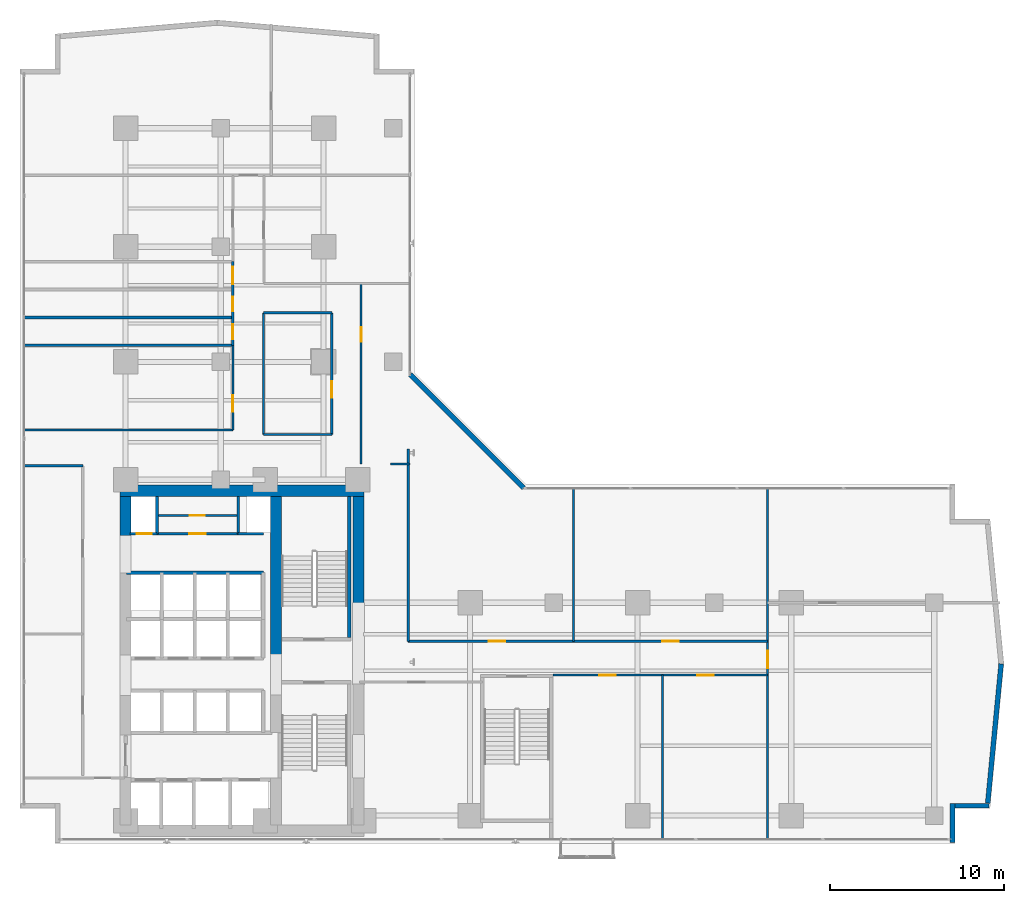
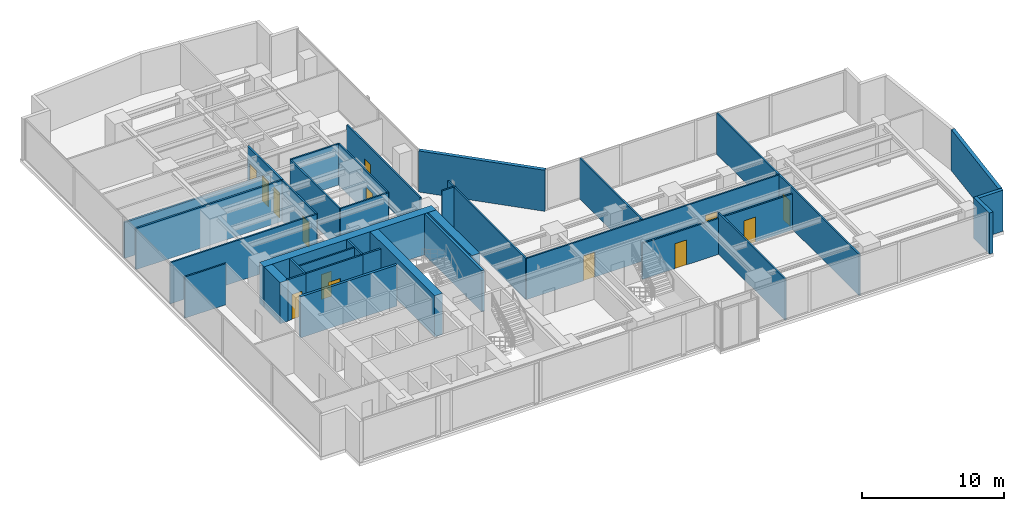
# One storey, part 22 of 28: 34 walls, 14 doors, 14 openings.
"""IFC4 building model written with IfcOpenShell, lengths in metres."""

from ifc_helpers import new_model, si_unit, direction, frame, frame_2d, origin, place, context, subcontext, project, spatial, rectangle, extrude, material, layer, layer_set, type_object, element, fill, save


model = new_model("IFC4")

# Units and contexts
model_context = context("Model", 3, precision=1e-05, world=origin(), true_north=direction((0.0, 1.0)))
body_context = subcontext(model_context, "Body", "Model", "MODEL_VIEW")
ifc_project = project(units=[si_unit("LENGTHUNIT", "METRE"), si_unit("AREAUNIT", "SQUARE_METRE"), si_unit("VOLUMEUNIT", "CUBIC_METRE"), si_unit("PLANEANGLEUNIT", "RADIAN"), si_unit("MASSUNIT", "GRAM", prefix="KILO")], contexts=[model_context])

# Site, building, storey
site_placement = place(None, origin())
site = spatial("IfcSite", under=ifc_project, at=site_placement, CompositionType="ELEMENT")
building_placement = place(site_placement, origin())
building = spatial("IfcBuilding", under=site, at=building_placement, Name="Kolvaren Waterfront Exchange", CompositionType="ELEMENT")
storey_placement = place(building_placement, frame((0.0, 0.0, 114.5)))
storey = spatial("IfcBuildingStorey", under=building, at=storey_placement, Name="L29", CompositionType="ELEMENT", Elevation=114.5)

# Walls
ifc_material_1 = material(Name="Precast concrete C40/50", Category="concrete")
ifc_layer_1 = layer(ifc_material_1, 0.280029296875, Name="Precast concrete C40/50")
ifc_layer_set_1 = layer_set([ifc_layer_1], Name="Precast concrete C40/50")
wall_type_1 = type_object("IfcWallType", Name="ARC-EXT-TERR-280", PredefinedType="SOLIDWALL", material=ifc_layer_set_1)
wall_1_placement = place(storey_placement, frame((54.840087890625, 3.659912109375, 0.0), z_axis=(0.0, 0.0, 1.0), x_axis=(0.0, 1.0, 0.0)))
element("IfcWall", 1, at=wall_1_placement, inside=storey, type_object=wall_type_1, Name="L29 notched corner spandrel pier SE-A", PredefinedType="SOLIDWALL", context=body_context, shape_type="SweptSolid", body=[
    extrude(rectangle(XDim=2.239990234375, YDim=0.280029296875, at=frame_2d((1.1201171875, 0.0))), origin(), (0.0, 0.0, 1.0), 3.5400390625),
])
wall_2_placement = place(storey_placement, frame((54.97998046875, 5.760009765625, 0.0), z_axis=(0.0, 0.0, 1.0), x_axis=(1.0, 0.0, 0.0)))
element("IfcWall", 2, at=wall_2_placement, inside=storey, type_object=wall_type_1, Name="L29 notched corner spandrel pier SE-B", PredefinedType="SOLIDWALL", context=body_context, shape_type="SweptSolid", body=[
    extrude(rectangle(XDim=1.9599609375, YDim=0.280029296875, at=frame_2d((0.97998046875, 0.0))), origin(), (0.0, 0.0, 1.0), 3.5400390625),
])
wall_3_placement = place(storey_placement, frame((30.284912109375, 23.97509765625, 0.0), z_axis=(0.0, 0.0, 1.0), x_axis=(-0.707106781187, 0.707106781187, 0.0)))
element("IfcWall", 3, at=wall_3_placement, inside=storey, type_object=wall_type_1, Name="L29 notched corner spandrel pier ELBOW", PredefinedType="SOLIDWALL", context=body_context, shape_type="SweptSolid", body=[
    extrude(rectangle(XDim=9.20654296875, YDim=0.280029296875, at=frame_2d((4.603271484375, 0.0))), origin(), (0.0, 0.0, 1.0), 3.5400390625),
])
wall_4_placement = place(storey_placement, frame((56.869384765625, 5.9140625, 0.0), z_axis=(0.0, 0.0, 1.0), x_axis=(0.095969995245, 0.995384227328, 0.0)))
element("IfcWall", 4, at=wall_4_placement, inside=storey, type_object=wall_type_1, Name="L29 east prow faceted facade wall 1", PredefinedType="SOLIDWALL", context=body_context, shape_type="SweptSolid", body=[
    extrude(rectangle(XDim=8.0185546875, YDim=0.280029296875, at=frame_2d((4.00927734375, 0.0))), origin(), (0.0, 0.0, 1.0), 3.5400390625),
])

# Wall, opening, door
ifc_material_2 = material(Name="Acoustic gypsum steel stud", Category="steel")
ifc_layer_2 = layer(ifc_material_2, 0.125, Name="Acoustic gypsum steel stud")
ifc_layer_set_2 = layer_set([ifc_layer_2], Name="Acoustic gypsum steel stud")
wall_type_2 = type_object("IfcWallType", Name="ARC-PART-125", PredefinedType="PARTITIONING", material=ifc_layer_set_2)
wall_5_placement = place(storey_placement, frame((9.25, 21.35009765625, 0.0), z_axis=(0.0, 0.0, 1.0), x_axis=(1.0, 0.0, 0.0)))
wall_5 = element("IfcWall", 5, at=wall_5_placement, inside=storey, type_object=wall_type_2, Name="L29 interior wall PW-L29-SVC-EX-S", PredefinedType="PARTITIONING", context=body_context, shape_type="SweptSolid", body=[
    extrude(rectangle(XDim=4.64990234375, YDim=0.125, at=frame_2d((2.324951171875, 0.0))), origin(), (0.0, 0.0, 1.0), 3.5400390625),
])
opening_1_placement = place(wall_5_placement, frame((1.85009765625, 0.0, 0.0)))
opening_1 = element("IfcOpeningElement", 6, at=opening_1_placement, cuts=wall_5, Name="Opening D02", PredefinedType="OPENING", context=body_context, shape_type="SweptSolid", body=[
    extrude(rectangle(XDim=0.949951171875, YDim=2.14990234375, at=frame_2d((0.47509765625, 1.074951171875))), frame((0.0, 0.072509765625, 0.0), z_axis=(0.0, -1.0, 0.0), x_axis=(1.0, 0.0, 0.0)), (0.0, 0.0, 1.0), 0.14501953125),
])
ifc_material_3 = material(Name="Oak veneer acoustic timber", Category="wood")
door_type_1 = type_object("IfcDoorType", Name="ARC-DR-950", OperationType="NOTDEFINED", PredefinedType="DOOR", material=ifc_material_3)
door_1_placement = place(opening_1_placement, origin())
door_1 = element("IfcDoor", 7, at=door_1_placement, inside=storey, type_object=door_type_1, Name="L29 door DR-L29-SVC-DR-1 (D02)", OperationType="SINGLE_SWING_LEFT", OverallHeight=2.14990234375, OverallWidth=0.949951171875, PredefinedType="DOOR", context=body_context, shape_type="SweptSolid", body=[
    extrude(rectangle(XDim=0.949951171875, YDim=2.14990234375, at=frame_2d((0.47509765625, 1.074951171875))), frame((0.0, 0.02490234375, 0.0), z_axis=(0.0, -1.0, 0.0), x_axis=(1.0, 0.0, 0.0)), (0.0, 0.0, 1.0), 0.050048828125),
])
fill(opening_1, door_1)

wall_6_placement = place(storey_placement, frame((9.25, 22.39990234375, 0.0), z_axis=(0.0, 0.0, 1.0), x_axis=(1.0, 0.0, 0.0)))
wall_6 = element("IfcWall", 8, at=wall_6_placement, inside=storey, type_object=wall_type_2, Name="L29 interior wall PW-L29-SVC-EX-HS", PredefinedType="PARTITIONING", context=body_context, shape_type="SweptSolid", body=[
    extrude(rectangle(XDim=4.64990234375, YDim=0.125, at=frame_2d((2.324951171875, 0.0))), origin(), (0.0, 0.0, 1.0), 3.5400390625),
])
opening_2_placement = place(wall_6_placement, frame((1.875, 0.0, 0.0)))
opening_2 = element("IfcOpeningElement", 9, at=opening_2_placement, cuts=wall_6, Name="Opening D01", PredefinedType="OPENING", context=body_context, shape_type="SweptSolid", body=[
    extrude(rectangle(XDim=0.85009765625, YDim=2.14990234375, at=frame_2d((0.425048828125, 1.074951171875))), frame((0.0, 0.072509765625, 0.0), z_axis=(0.0, -1.0, 0.0), x_axis=(1.0, 0.0, 0.0)), (0.0, 0.0, 1.0), 0.14501953125),
])
ifc_material_4 = material(Name="Oak veneer timber leaf", Category="wood")
door_type_2 = type_object("IfcDoorType", Name="ARC-DR-900", OperationType="NOTDEFINED", PredefinedType="DOOR", material=ifc_material_4)
door_2_placement = place(opening_2_placement, origin())
door_2 = element("IfcDoor", 10, at=door_2_placement, inside=storey, type_object=door_type_2, Name="L29 door DR-L29-SVC-DR-2 (D01)", OperationType="SINGLE_SWING_RIGHT", OverallHeight=2.14990234375, OverallWidth=0.85009765625, PredefinedType="DOOR", context=body_context, shape_type="SweptSolid", body=[
    extrude(rectangle(XDim=0.85009765625, YDim=2.14990234375, at=frame_2d((0.425048828125, 1.074951171875))), frame((0.0, 0.02490234375, 0.0), z_axis=(0.0, -1.0, 0.0), x_axis=(1.0, 0.0, 0.0)), (0.0, 0.0, 1.0), 0.050048828125),
])
fill(opening_2, door_2)

# Walls
for number, where, z_axis, x_axis, name in (
    (11, (15.35009765625, 27.050048828125, 0.0), (0.0, 0.0, 1.0), (1.0, 0.0, 0.0), "L29 interior wall PW-L29-ISL-S"),
    (12, (15.35009765625, 34.02001953125, 0.0), (0.0, 0.0, 1.0), (1.0, 0.0, 0.0), "L29 interior wall PW-L29-ISL-N"),
):
    element("IfcWall", number, at=place(storey_placement, frame(where, z_axis=z_axis, x_axis=x_axis)), inside=storey, type_object=wall_type_2, Name=name, PredefinedType="PARTITIONING", context=body_context, shape_type="SweptSolid", body=[
        extrude(rectangle(XDim=3.919921875, YDim=0.125, at=frame_2d((1.9599609375, 0.0))), origin(), (0.0, 0.0, 1.0), 3.5400390625),
    ])
wall_7_placement = place(storey_placement, frame((15.35009765625, 27.050048828125, 0.0), z_axis=(0.0, 0.0, 1.0), x_axis=(0.0, 1.0, 0.0)))
element("IfcWall", 13, at=wall_7_placement, inside=storey, type_object=wall_type_2, Name="L29 interior wall PW-L29-ISL-W", PredefinedType="PARTITIONING", context=body_context, shape_type="SweptSolid", body=[
    extrude(rectangle(XDim=6.969970703125, YDim=0.125, at=frame_2d((3.48486328125, 0.0))), origin(), (0.0, 0.0, 1.0), 3.5400390625),
])

# Wall, opening, door
wall_8_placement = place(storey_placement, frame((19.27001953125, 27.050048828125, 0.0), z_axis=(0.0, 0.0, 1.0), x_axis=(0.0, 1.0, 0.0)))
wall_8 = element("IfcWall", 14, at=wall_8_placement, inside=storey, type_object=wall_type_2, Name="L29 interior wall PW-L29-ISL-E", PredefinedType="PARTITIONING", context=body_context, shape_type="SweptSolid", body=[
    extrude(rectangle(XDim=6.969970703125, YDim=0.125, at=frame_2d((3.48486328125, 0.0))), origin(), (0.0, 0.0, 1.0), 3.5400390625),
])
opening_3_placement = place(wall_8_placement, frame((2.09619140625, 0.0, 0.0)))
opening_3 = element("IfcOpeningElement", 15, at=opening_3_placement, cuts=wall_8, Name="Opening D02", PredefinedType="OPENING", context=body_context, shape_type="SweptSolid", body=[
    extrude(rectangle(XDim=0.949951171875, YDim=2.14990234375, at=frame_2d((0.47509765625, 1.074951171875))), frame((0.0, 0.072509765625, 0.0), z_axis=(0.0, -1.0, 0.0), x_axis=(1.0, 0.0, 0.0)), (0.0, 0.0, 1.0), 0.14501953125),
])
door_3_placement = place(opening_3_placement, origin())
door_3 = element("IfcDoor", 16, at=door_3_placement, inside=storey, type_object=door_type_1, Name="L29 door DR-L29-ISL-D (D02)", OperationType="SINGLE_SWING_LEFT", OverallHeight=2.14990234375, OverallWidth=0.949951171875, PredefinedType="DOOR", context=body_context, shape_type="SweptSolid", body=[
    extrude(rectangle(XDim=0.949951171875, YDim=2.14990234375, at=frame_2d((0.47509765625, 1.074951171875))), frame((0.0, 0.02490234375, 0.0), z_axis=(0.0, -1.0, 0.0), x_axis=(1.0, 0.0, 0.0)), (0.0, 0.0, 1.0), 0.050048828125),
])
fill(opening_3, door_3)

wall_9_placement = place(storey_placement, frame((13.60009765625, 27.300048828125, 0.0), z_axis=(0.0, 0.0, 1.0), x_axis=(0.0, 1.0, 0.0)))
wall_9 = element("IfcWall", 17, at=wall_9_placement, inside=storey, type_object=wall_type_2, Name="L29 interior wall PW-L29-PREWC-E", PredefinedType="PARTITIONING", context=body_context, shape_type="SweptSolid", body=[
    extrude(rectangle(XDim=4.849853515625, YDim=0.125, at=frame_2d((2.4248046875, 0.0))), origin(), (0.0, 0.0, 1.0), 3.5400390625),
])
opening_4_placement = place(wall_9_placement, frame((1.050048828125, 0.0, 0.0)))
opening_4 = element("IfcOpeningElement", 18, at=opening_4_placement, cuts=wall_9, Name="Opening D02", PredefinedType="OPENING", context=body_context, shape_type="SweptSolid", body=[
    extrude(rectangle(XDim=0.949951171875, YDim=2.14990234375, at=frame_2d((0.47509765625, 1.074951171875))), frame((0.0, 0.072509765625, 0.0), z_axis=(0.0, -1.0, 0.0), x_axis=(1.0, 0.0, 0.0)), (0.0, 0.0, 1.0), 0.14501953125),
])
door_4_placement = place(opening_4_placement, origin())
door_4 = element("IfcDoor", 19, at=door_4_placement, inside=storey, type_object=door_type_1, Name="L29 door DR-L29-PREWC-D (D02)", OperationType="SINGLE_SWING_RIGHT", OverallHeight=2.14990234375, OverallWidth=0.949951171875, PredefinedType="DOOR", context=body_context, shape_type="SweptSolid", body=[
    extrude(rectangle(XDim=0.949951171875, YDim=2.14990234375, at=frame_2d((0.47509765625, 1.074951171875))), frame((0.0, 0.02490234375, 0.0), z_axis=(0.0, -1.0, 0.0), x_axis=(1.0, 0.0, 0.0)), (0.0, 0.0, 1.0), 0.050048828125),
])
fill(opening_4, door_4)

# Walls
wall_10_placement = place(storey_placement, frame((1.639892578125, 27.300048828125, 0.0), z_axis=(0.0, 0.0, 1.0), x_axis=(1.0, 0.0, 0.0)))
element("IfcWall", 20, at=wall_10_placement, inside=storey, type_object=wall_type_2, Name="L29 interior wall PW-L29-PREWC-S", PredefinedType="PARTITIONING", context=body_context, shape_type="SweptSolid", body=[
    extrude(rectangle(XDim=11.960205078125, YDim=0.125, at=frame_2d((5.97998046875, 0.0))), origin(), (0.0, 0.0, 1.0), 3.5400390625),
])
wall_11_placement = place(storey_placement, frame((1.639892578125, 25.25, 0.0), z_axis=(0.0, 0.0, 1.0), x_axis=(1.0, 0.0, 0.0)))
element("IfcWall", 21, at=wall_11_placement, inside=storey, type_object=wall_type_2, Name="L29 interior wall PW-L29-WFLANK-N", PredefinedType="PARTITIONING", context=body_context, shape_type="SweptSolid", body=[
    extrude(rectangle(XDim=3.360107421875, YDim=0.125, at=frame_2d((1.68017578125, 0.0))), origin(), (0.0, 0.0, 1.0), 3.5400390625),
])

# Wall, opening, door
wall_12_placement = place(storey_placement, frame((20.949951171875, 25.35009765625, 0.0), z_axis=(0.0, 0.0, 1.0), x_axis=(0.0, 1.0, 0.0)))
wall_12 = element("IfcWall", 22, at=wall_12_placement, inside=storey, type_object=wall_type_2, Name="L29 interior wall PW-L29-RFLANK-W", PredefinedType="PARTITIONING", context=body_context, shape_type="SweptSolid", body=[
    extrude(rectangle(XDim=10.349853515625, YDim=0.125, at=frame_2d((5.1748046875, 0.0))), origin(), (0.0, 0.0, 1.0), 3.5400390625),
])
opening_5_placement = place(wall_12_placement, frame((7.002197265625, 0.0, 0.0)))
opening_5 = element("IfcOpeningElement", 23, at=opening_5_placement, cuts=wall_12, Name="Opening D01", PredefinedType="OPENING", context=body_context, shape_type="SweptSolid", body=[
    extrude(rectangle(XDim=0.85009765625, YDim=2.14990234375, at=frame_2d((0.425048828125, 1.074951171875))), frame((0.0, 0.072509765625, 0.0), z_axis=(0.0, -1.0, 0.0), x_axis=(1.0, 0.0, 0.0)), (0.0, 0.0, 1.0), 0.14501953125),
])
door_5_placement = place(opening_5_placement, origin())
door_5 = element("IfcDoor", 24, at=door_5_placement, inside=storey, type_object=door_type_2, Name="L29 door DR-L29-RFLANK-D (D01)", OperationType="SINGLE_SWING_RIGHT", OverallHeight=2.14990234375, OverallWidth=0.85009765625, PredefinedType="DOOR", context=body_context, shape_type="SweptSolid", body=[
    extrude(rectangle(XDim=0.85009765625, YDim=2.14990234375, at=frame_2d((0.425048828125, 1.074951171875))), frame((0.0, 0.02490234375, 0.0), z_axis=(0.0, -1.0, 0.0), x_axis=(1.0, 0.0, 0.0)), (0.0, 0.0, 1.0), 0.050048828125),
])
fill(opening_5, door_5)

# Wall
wall_13_placement = place(storey_placement, frame((22.64990234375, 25.35009765625, 0.0), z_axis=(0.0, 0.0, 1.0), x_axis=(1.0, 0.0, 0.0)))
element("IfcWall", 25, at=wall_13_placement, inside=storey, type_object=wall_type_2, Name="L29 interior wall PW-L29-RFLANK-S", PredefinedType="PARTITIONING", context=body_context, shape_type="SweptSolid", body=[
    extrude(rectangle(XDim=1.110107421875, YDim=0.125, at=frame_2d((0.55517578125, 0.0))), origin(), (0.0, 0.0, 1.0), 3.5400390625),
])

# Wall, openings, doors
wall_14_placement = place(storey_placement, frame((31.949951171875, 13.25, 0.0), z_axis=(0.0, 0.0, 1.0), x_axis=(1.0, 0.0, 0.0)))
wall_14 = element("IfcWall", 26, at=wall_14_placement, inside=storey, type_object=wall_type_2, Name="L29 interior wall PW-L29-ES-CORR", PredefinedType="PARTITIONING", context=body_context, shape_type="SweptSolid", body=[
    extrude(rectangle(XDim=12.300048828125, YDim=0.125, at=frame_2d((6.14990234375, 0.0))), origin(), (0.0, 0.0, 1.0), 3.090087890625),
])
opening_6_placement = place(wall_14_placement, frame((2.659912109375, 0.0, 0.0)))
opening_6 = element("IfcOpeningElement", 27, at=opening_6_placement, cuts=wall_14, Name="Opening D02", PredefinedType="OPENING", context=body_context, shape_type="SweptSolid", body=[
    extrude(rectangle(XDim=0.949951171875, YDim=2.14990234375, at=frame_2d((0.47509765625, 1.074951171875))), frame((0.0, 0.072509765625, 0.0), z_axis=(0.0, -1.0, 0.0), x_axis=(1.0, 0.0, 0.0)), (0.0, 0.0, 1.0), 0.14501953125),
])
opening_7_placement = place(wall_14_placement, frame((8.2626953125, 0.0, 0.0)))
opening_7 = element("IfcOpeningElement", 28, at=opening_7_placement, cuts=wall_14, Name="Opening D02", PredefinedType="OPENING", context=body_context, shape_type="SweptSolid", body=[
    extrude(rectangle(XDim=0.949951171875, YDim=2.14990234375, at=frame_2d((0.47509765625, 1.074951171875))), frame((0.0, 0.072509765625, 0.0), z_axis=(0.0, -1.0, 0.0), x_axis=(1.0, 0.0, 0.0)), (0.0, 0.0, 1.0), 0.14501953125),
])
door_6_placement = place(opening_6_placement, origin())
door_6 = element("IfcDoor", 29, at=door_6_placement, inside=storey, type_object=door_type_1, Name="L29 door DR-L29-ES-D-1 (D02)", OperationType="SINGLE_SWING_LEFT", OverallHeight=2.14990234375, OverallWidth=0.949951171875, PredefinedType="DOOR", context=body_context, shape_type="SweptSolid", body=[
    extrude(rectangle(XDim=0.949951171875, YDim=2.14990234375, at=frame_2d((0.47509765625, 1.074951171875))), frame((0.0, 0.02490234375, 0.0), z_axis=(0.0, -1.0, 0.0), x_axis=(1.0, 0.0, 0.0)), (0.0, 0.0, 1.0), 0.050048828125),
])
fill(opening_6, door_6)
door_7_placement = place(opening_7_placement, origin())
door_7 = element("IfcDoor", 30, at=door_7_placement, inside=storey, type_object=door_type_1, Name="L29 door DR-L29-ES-D-2 (D02)", OperationType="SINGLE_SWING_RIGHT", OverallHeight=2.14990234375, OverallWidth=0.949951171875, PredefinedType="DOOR", context=body_context, shape_type="SweptSolid", body=[
    extrude(rectangle(XDim=0.949951171875, YDim=2.14990234375, at=frame_2d((0.47509765625, 1.074951171875))), frame((0.0, 0.02490234375, 0.0), z_axis=(0.0, -1.0, 0.0), x_axis=(1.0, 0.0, 0.0)), (0.0, 0.0, 1.0), 0.050048828125),
])
fill(opening_7, door_7)

# Wall
wall_15_placement = place(storey_placement, frame((38.219970703125, 3.840087890625, 0.0), z_axis=(0.0, 0.0, 1.0), x_axis=(0.0, 1.0, 0.0)))
element("IfcWall", 31, at=wall_15_placement, inside=storey, type_object=wall_type_2, Name="L29 interior wall PW-L29-ES-DIV-1", PredefinedType="PARTITIONING", context=body_context, shape_type="SweptSolid", body=[
    extrude(rectangle(XDim=9.409912109375, YDim=0.125, at=frame_2d((4.705078125, 0.0))), origin(), (0.0, 0.0, 1.0), 3.5400390625),
])

# Wall, opening, door
wall_16_placement = place(storey_placement, frame((44.25, 3.840087890625, 0.0), z_axis=(0.0, 0.0, 1.0), x_axis=(0.0, 1.0, 0.0)))
wall_16 = element("IfcWall", 32, at=wall_16_placement, inside=storey, type_object=wall_type_2, Name="L29 interior wall PW-L29-ETIP-W", PredefinedType="PARTITIONING", context=body_context, shape_type="SweptSolid", body=[
    extrude(rectangle(XDim=20.119873046875, YDim=0.125, at=frame_2d((10.06005859375, 0.0))), origin(), (0.0, 0.0, 1.0), 3.5400390625),
])
opening_8_placement = place(wall_16_placement, frame((9.81005859375, 0.0, 0.0)))
opening_8 = element("IfcOpeningElement", 33, at=opening_8_placement, cuts=wall_16, Name="Opening D03", PredefinedType="OPENING", context=body_context, shape_type="SweptSolid", body=[
    extrude(rectangle(XDim=1.0, YDim=2.199951171875, at=frame_2d((0.5, 1.10009765625))), frame((0.0, 0.072509765625, 0.0), z_axis=(0.0, -1.0, 0.0), x_axis=(1.0, 0.0, 0.0)), (0.0, 0.0, 1.0), 0.14501953125),
])
ifc_material_5 = material(Name="Oak veneer accessible timber", Category="wood")
door_type_3 = type_object("IfcDoorType", Name="ARC-DR-1000", OperationType="NOTDEFINED", PredefinedType="DOOR", material=ifc_material_5)
door_8_placement = place(opening_8_placement, origin())
door_8 = element("IfcDoor", 34, at=door_8_placement, inside=storey, type_object=door_type_3, Name="L29 door DR-L29-ETIP1-D (D03)", OperationType="SINGLE_SWING_LEFT", OverallHeight=2.199951171875, OverallWidth=1.0, PredefinedType="DOOR", context=body_context, shape_type="SweptSolid", body=[
    extrude(rectangle(XDim=1.0, YDim=2.199951171875, at=frame_2d((0.5, 1.10009765625))), frame((0.0, 0.02490234375, 0.0), z_axis=(0.0, -1.0, 0.0), x_axis=(1.0, 0.0, 0.0)), (0.0, 0.0, 1.0), 0.050048828125),
])
fill(opening_8, door_8)

# Wall
wall_17_placement = place(storey_placement, frame((23.64990234375, 15.18994140625, 0.0), z_axis=(0.0, 0.0, 1.0), x_axis=(0.0, 1.0, 0.0)))
element("IfcWall", 35, at=wall_17_placement, inside=storey, type_object=wall_type_2, Name="L29 interior wall PW-L29-EN-W0", PredefinedType="PARTITIONING", context=body_context, shape_type="SweptSolid", body=[
    extrude(rectangle(XDim=11.010009765625, YDim=0.125, at=frame_2d((5.5048828125, 0.0))), origin(), (0.0, 0.0, 1.0), 3.5400390625),
])

# Wall, openings, doors
wall_18_placement = place(storey_placement, frame((23.64990234375, 15.18994140625, 0.0), z_axis=(0.0, 0.0, 1.0), x_axis=(1.0, 0.0, 0.0)))
wall_18 = element("IfcWall", 36, at=wall_18_placement, inside=storey, type_object=wall_type_2, Name="L29 interior wall PW-L29-EN-CORR", PredefinedType="PARTITIONING", context=body_context, shape_type="SweptSolid", body=[
    extrude(rectangle(XDim=20.60009765625, YDim=0.125, at=frame_2d((10.300048828125, 0.0))), origin(), (0.0, 0.0, 1.0), 3.5400390625),
])
opening_9_placement = place(wall_18_placement, frame((4.616455078125, 0.0, 0.0)))
opening_9 = element("IfcOpeningElement", 37, at=opening_9_placement, cuts=wall_18, Name="Opening D02", PredefinedType="OPENING", context=body_context, shape_type="SweptSolid", body=[
    extrude(rectangle(XDim=0.949951171875, YDim=2.14990234375, at=frame_2d((0.47509765625, 1.074951171875))), frame((0.0, 0.072509765625, 0.0), z_axis=(0.0, -1.0, 0.0), x_axis=(1.0, 0.0, 0.0)), (0.0, 0.0, 1.0), 0.14501953125),
])
opening_10_placement = place(wall_18_placement, frame((14.56494140625, 0.0, 0.0)))
opening_10 = element("IfcOpeningElement", 38, at=opening_10_placement, cuts=wall_18, Name="Opening D02", PredefinedType="OPENING", context=body_context, shape_type="SweptSolid", body=[
    extrude(rectangle(XDim=0.949951171875, YDim=2.14990234375, at=frame_2d((0.47509765625, 1.074951171875))), frame((0.0, 0.072509765625, 0.0), z_axis=(0.0, -1.0, 0.0), x_axis=(1.0, 0.0, 0.0)), (0.0, 0.0, 1.0), 0.14501953125),
])
door_9_placement = place(opening_9_placement, origin())
door_9 = element("IfcDoor", 39, at=door_9_placement, inside=storey, type_object=door_type_1, Name="L29 door DR-L29-EN-D-1 (D02)", OperationType="SINGLE_SWING_LEFT", OverallHeight=2.14990234375, OverallWidth=0.949951171875, PredefinedType="DOOR", context=body_context, shape_type="SweptSolid", body=[
    extrude(rectangle(XDim=0.949951171875, YDim=2.14990234375, at=frame_2d((0.47509765625, 1.074951171875))), frame((0.0, 0.02490234375, 0.0), z_axis=(0.0, -1.0, 0.0), x_axis=(1.0, 0.0, 0.0)), (0.0, 0.0, 1.0), 0.050048828125),
])
fill(opening_9, door_9)
door_10_placement = place(opening_10_placement, origin())
door_10 = element("IfcDoor", 40, at=door_10_placement, inside=storey, type_object=door_type_1, Name="L29 door DR-L29-EN-D-2 (D02)", OperationType="SINGLE_SWING_RIGHT", OverallHeight=2.14990234375, OverallWidth=0.949951171875, PredefinedType="DOOR", context=body_context, shape_type="SweptSolid", body=[
    extrude(rectangle(XDim=0.949951171875, YDim=2.14990234375, at=frame_2d((0.47509765625, 1.074951171875))), frame((0.0, 0.02490234375, 0.0), z_axis=(0.0, -1.0, 0.0), x_axis=(1.0, 0.0, 0.0)), (0.0, 0.0, 1.0), 0.050048828125),
])
fill(opening_10, door_10)

# Walls
wall_19_placement = place(storey_placement, frame((33.1298828125, 15.18994140625, 0.0), z_axis=(0.0, 0.0, 1.0), x_axis=(0.0, 1.0, 0.0)))
element("IfcWall", 41, at=wall_19_placement, inside=storey, type_object=wall_type_2, Name="L29 interior wall PW-L29-EN-DIV-1", PredefinedType="PARTITIONING", context=body_context, shape_type="SweptSolid", body=[
    extrude(rectangle(XDim=8.77001953125, YDim=0.125, at=frame_2d((4.385009765625, 0.0))), origin(), (0.0, 0.0, 1.0), 3.5400390625),
])
ifc_material_6 = material(Name="Gypsum fireboard steel stud", Category="steel")
ifc_layer_3 = layer(ifc_material_6, 0.14990234375, Name="Gypsum fireboard steel stud")
ifc_layer_set_3 = layer_set([ifc_layer_3], Name="Gypsum fireboard steel stud")
wall_type_3 = type_object("IfcWallType", Name="ARC-PART-150", PredefinedType="PARTITIONING", material=ifc_layer_set_3)
for number, where, z_axis, x_axis, name in (
    (42, (9.25, 21.35009765625, 0.0), (0.0, 0.0, 1.0), (0.0, 1.0, 0.0), "L29 interior wall PW-L29-SVC-R1"),
    (43, (13.89990234375, 21.35009765625, 0.0), (0.0, 0.0, 1.0), (0.0, 1.0, 0.0), "L29 interior wall PW-L29-SVC-R2"),
):
    element("IfcWall", number, at=place(storey_placement, frame(where, z_axis=z_axis, x_axis=x_axis)), inside=storey, type_object=wall_type_3, Name=name, PredefinedType="PARTITIONING", context=body_context, shape_type="SweptSolid", body=[
        extrude(rectangle(XDim=2.1298828125, YDim=0.14990234375, at=frame_2d((1.06494140625, 0.0))), origin(), (0.0, 0.0, 1.0), 3.5400390625),
    ])

# Wall, opening, door
wall_20_placement = place(storey_placement, frame((7.699951171875, 21.35009765625, 0.0), z_axis=(0.0, 0.0, 1.0), x_axis=(1.0, 0.0, 0.0)))
wall_20 = element("IfcWall", 44, at=wall_20_placement, inside=storey, type_object=wall_type_3, Name="L29 interior wall PW-L29-SVC-RE-S", PredefinedType="PARTITIONING", context=body_context, shape_type="SweptSolid", body=[
    extrude(rectangle(XDim=1.550048828125, YDim=0.14990234375, at=frame_2d((0.77490234375, 0.0))), origin(), (0.0, 0.0, 1.0), 3.5400390625),
])
opening_11_placement = place(wall_20_placement, frame((0.389892578125, 0.0, 0.0)))
opening_11 = element("IfcOpeningElement", 45, at=opening_11_placement, cuts=wall_20, Name="Opening FD1", PredefinedType="OPENING", context=body_context, shape_type="SweptSolid", body=[
    extrude(rectangle(XDim=0.85009765625, YDim=2.14990234375, at=frame_2d((0.425048828125, 1.074951171875))), frame((0.0, 0.0849609375, 0.0), z_axis=(0.0, -1.0, 0.0), x_axis=(1.0, 0.0, 0.0)), (0.0, 0.0, 1.0), 0.169921875),
])
ifc_material_7 = material(Name="Pressed steel fire leaf", Category="steel")
door_type_4 = type_object("IfcDoorType", Name="ARC-FD-900", OperationType="NOTDEFINED", PredefinedType="DOOR", material=ifc_material_7)
door_11_placement = place(opening_11_placement, origin())
door_11 = element("IfcDoor", 46, at=door_11_placement, inside=storey, type_object=door_type_4, Name="L29 door DR-L29-RISER-E-DR (FD1)", OperationType="SINGLE_SWING_RIGHT", OverallHeight=2.14990234375, OverallWidth=0.85009765625, PredefinedType="DOOR", context=body_context, shape_type="SweptSolid", body=[
    extrude(rectangle(XDim=0.85009765625, YDim=2.14990234375, at=frame_2d((0.425048828125, 1.074951171875))), frame((0.0, 0.02490234375, 0.0), z_axis=(0.0, -1.0, 0.0), x_axis=(1.0, 0.0, 0.0)), (0.0, 0.0, 1.0), 0.050048828125),
])
fill(opening_11, door_11)

# Walls
wall_21_placement = place(storey_placement, frame((13.89990234375, 21.35009765625, 0.0), z_axis=(0.0, 0.0, 1.0), x_axis=(1.0, 0.0, 0.0)))
element("IfcWall", 47, at=wall_21_placement, inside=storey, type_object=wall_type_3, Name="L29 interior wall PW-L29-SVC-RP-S", PredefinedType="PARTITIONING", context=body_context, shape_type="SweptSolid", body=[
    extrude(rectangle(XDim=1.4501953125, YDim=0.14990234375, at=frame_2d((0.72509765625, 0.0))), origin(), (0.0, 0.0, 1.0), 3.5400390625),
])
ifc_material_8 = material(Name="Moisture-resistant gypsum stud")
ifc_layer_4 = layer(ifc_material_8, 0.14990234375, Name="Moisture-resistant gypsum stud")
ifc_layer_set_4 = layer_set([ifc_layer_4], Name="Moisture-resistant gypsum stud")
wall_type_4 = type_object("IfcWallType", Name="ARC-PLUMB-150", PredefinedType="PLUMBINGWALL", material=ifc_layer_set_4)
wall_22_placement = place(storey_placement, frame((1.639892578125, 32.14990234375, 0.0), z_axis=(0.0, 0.0, 1.0), x_axis=(1.0, 0.0, 0.0)))
element("IfcWall", 48, at=wall_22_placement, inside=storey, type_object=wall_type_4, Name="L29 interior wall PW-L29-WC-0", PredefinedType="PLUMBINGWALL", context=body_context, shape_type="SweptSolid", body=[
    extrude(rectangle(XDim=11.960205078125, YDim=0.14990234375, at=frame_2d((5.97998046875, 0.0))), origin(), (0.0, 0.0, 1.0), 3.5400390625),
])

# Wall, openings, doors
wall_23_placement = place(storey_placement, frame((13.60009765625, 32.14990234375, 0.0), z_axis=(0.0, 0.0, 1.0), x_axis=(0.0, 1.0, 0.0)))
wall_23 = element("IfcWall", 49, at=wall_23_placement, inside=storey, type_object=wall_type_4, Name="L29 interior wall PW-L29-WC-E", PredefinedType="PLUMBINGWALL", context=body_context, shape_type="SweptSolid", body=[
    extrude(rectangle(XDim=4.800048828125, YDim=0.14990234375, at=frame_2d((2.39990234375, 0.0))), origin(), (0.0, 0.0, 1.0), 3.5400390625),
])
opening_12_placement = place(wall_23_placement, frame((0.35009765625, 0.0, 0.0)))
opening_12 = element("IfcOpeningElement", 50, at=opening_12_placement, cuts=wall_23, Name="Opening D01", PredefinedType="OPENING", context=body_context, shape_type="SweptSolid", body=[
    extrude(rectangle(XDim=0.85009765625, YDim=2.14990234375, at=frame_2d((0.425048828125, 1.074951171875))), frame((0.0, 0.0849609375, 0.0), z_axis=(0.0, -1.0, 0.0), x_axis=(1.0, 0.0, 0.0)), (0.0, 0.0, 1.0), 0.169921875),
])
opening_13_placement = place(wall_23_placement, frame((1.949951171875, 0.0, 0.0)))
opening_13 = element("IfcOpeningElement", 51, at=opening_13_placement, cuts=wall_23, Name="Opening D01", PredefinedType="OPENING", context=body_context, shape_type="SweptSolid", body=[
    extrude(rectangle(XDim=0.85009765625, YDim=2.14990234375, at=frame_2d((0.425048828125, 1.074951171875))), frame((0.0, 0.0849609375, 0.0), z_axis=(0.0, -1.0, 0.0), x_axis=(1.0, 0.0, 0.0)), (0.0, 0.0, 1.0), 0.169921875),
])
opening_14_placement = place(wall_23_placement, frame((3.5, 0.0, 0.0)))
opening_14 = element("IfcOpeningElement", 52, at=opening_14_placement, cuts=wall_23, Name="Opening D03", PredefinedType="OPENING", context=body_context, shape_type="SweptSolid", body=[
    extrude(rectangle(XDim=1.0, YDim=2.199951171875, at=frame_2d((0.5, 1.10009765625))), frame((0.0, 0.0849609375, 0.0), z_axis=(0.0, -1.0, 0.0), x_axis=(1.0, 0.0, 0.0)), (0.0, 0.0, 1.0), 0.169921875),
])
door_12_placement = place(opening_14_placement, origin())
door_12 = element("IfcDoor", 53, at=door_12_placement, inside=storey, type_object=door_type_3, Name="L29 door DR-L29-WCA-D (D03)", OperationType="SINGLE_SWING_LEFT", OverallHeight=2.199951171875, OverallWidth=1.0, PredefinedType="DOOR", context=body_context, shape_type="SweptSolid", body=[
    extrude(rectangle(XDim=1.0, YDim=2.199951171875, at=frame_2d((0.5, 1.10009765625))), frame((0.0, 0.02490234375, 0.0), z_axis=(0.0, -1.0, 0.0), x_axis=(1.0, 0.0, 0.0)), (0.0, 0.0, 1.0), 0.050048828125),
])
fill(opening_14, door_12)
door_13_placement = place(opening_12_placement, origin())
door_13 = element("IfcDoor", 54, at=door_13_placement, inside=storey, type_object=door_type_2, Name="L29 door DR-L29-WCM-D (D01)", OperationType="SINGLE_SWING_LEFT", OverallHeight=2.14990234375, OverallWidth=0.85009765625, PredefinedType="DOOR", context=body_context, shape_type="SweptSolid", body=[
    extrude(rectangle(XDim=0.85009765625, YDim=2.14990234375, at=frame_2d((0.425048828125, 1.074951171875))), frame((0.0, 0.02490234375, 0.0), z_axis=(0.0, -1.0, 0.0), x_axis=(1.0, 0.0, 0.0)), (0.0, 0.0, 1.0), 0.050048828125),
])
fill(opening_12, door_13)
door_14_placement = place(opening_13_placement, origin())
door_14 = element("IfcDoor", 55, at=door_14_placement, inside=storey, type_object=door_type_2, Name="L29 door DR-L29-WCF-D (D01)", OperationType="SINGLE_SWING_RIGHT", OverallHeight=2.14990234375, OverallWidth=0.85009765625, PredefinedType="DOOR", context=body_context, shape_type="SweptSolid", body=[
    extrude(rectangle(XDim=0.85009765625, YDim=2.14990234375, at=frame_2d((0.425048828125, 1.074951171875))), frame((0.0, 0.02490234375, 0.0), z_axis=(0.0, -1.0, 0.0), x_axis=(1.0, 0.0, 0.0)), (0.0, 0.0, 1.0), 0.050048828125),
])
fill(opening_13, door_14)

# Walls
wall_24_placement = place(storey_placement, frame((1.639892578125, 33.75, 0.0), z_axis=(0.0, 0.0, 1.0), x_axis=(1.0, 0.0, 0.0)))
element("IfcWall", 56, at=wall_24_placement, inside=storey, type_object=wall_type_4, Name="L29 interior wall PW-L29-WC-1", PredefinedType="PLUMBINGWALL", context=body_context, shape_type="SweptSolid", body=[
    extrude(rectangle(XDim=11.960205078125, YDim=0.14990234375, at=frame_2d((5.97998046875, 0.0))), origin(), (0.0, 0.0, 1.0), 3.090087890625),
])
ifc_material_9 = material(Name="Concrete C40/50", Category="concrete")
ifc_layer_5 = layer(ifc_material_9, 0.199951171875, Name="Concrete C40/50")
ifc_layer_set_5 = layer_set([ifc_layer_5], Name="Concrete C40/50")
wall_type_5 = type_object("IfcWallType", Name="ARC-SHAFT-200", PredefinedType="PARTITIONING", material=ifc_layer_set_5)
wall_25_placement = place(storey_placement, frame((20.260009765625, 15.39990234375, 0.0), z_axis=(0.0, 0.0, 1.0), x_axis=(0.0, 1.0, 0.0)))
element("IfcWall", 57, at=wall_25_placement, inside=storey, type_object=wall_type_5, Name="L29 structural stairwell wall PW-L29-ST2-E", PredefinedType="SHEAR", context=body_context, shape_type="SweptSolid", body=[
    extrude(rectangle(XDim=8.090087890625, YDim=0.199951171875, at=frame_2d((4.044921875, 0.0))), origin(), (0.0, 0.0, 1.0), 3.5400390625),
])
wall_26_placement = place(storey_placement, frame((7.5, 19.1201171875, 0.0), z_axis=(0.0, 0.0, 1.0), x_axis=(1.0, 0.0, 0.0)))
element("IfcWall", 58, at=wall_26_placement, inside=storey, type_object=wall_type_5, Name="L29 interior wall PW-L29-PH-N", PredefinedType="PARTITIONING", context=body_context, shape_type="SweptSolid", body=[
    extrude(rectangle(XDim=7.85009765625, YDim=0.199951171875, at=frame_2d((3.925048828125, 0.0))), origin(), (0.0, 0.0, 1.0), 3.5400390625),
])
ifc_material_10 = material(Name="Concrete C60/75", Category="concrete")
ifc_layer_6 = layer(ifc_material_10, 0.64990234375, Name="Concrete C60/75")
ifc_layer_set_6 = layer_set([ifc_layer_6], Name="Concrete C60/75")
wall_type_6 = type_object("IfcWallType", Name="STR-CWALL-650", PredefinedType="SHEAR", material=ifc_layer_set_6)
wall_27_placement = place(storey_placement, frame((7.125, 23.824951171875, 0.0), z_axis=(0.0, 0.0, 1.0), x_axis=(1.0, 0.0, 0.0)))
element("IfcWall", 59, at=wall_27_placement, inside=storey, type_object=wall_type_6, Name="L29 rear-core shear wall N", PredefinedType="SHEAR", context=body_context, shape_type="SweptSolid", body=[
    extrude(rectangle(XDim=14.0, YDim=0.64990234375, at=frame_2d((7.0, 0.0))), origin(), (0.0, 0.0, 1.0), 3.5400390625),
])
wall_28_placement = place(storey_placement, frame((7.449951171875, 21.239990234375, 0.0), z_axis=(0.0, 0.0, 1.0), x_axis=(0.0, 1.0, 0.0)))
element("IfcWall", 60, at=wall_28_placement, inside=storey, type_object=wall_type_6, Name="L29 rear-core shear wall W3", PredefinedType="SHEAR", context=body_context, shape_type="SweptSolid", body=[
    extrude(rectangle(XDim=2.260009765625, YDim=0.64990234375, at=frame_2d((1.1298828125, 0.0))), origin(), (0.0, 0.0, 1.0), 3.5400390625),
])
wall_29_placement = place(storey_placement, frame((20.800048828125, 17.35009765625, 0.0), z_axis=(0.0, 0.0, 1.0), x_axis=(0.0, 1.0, 0.0)))
element("IfcWall", 61, at=wall_29_placement, inside=storey, type_object=wall_type_6, Name="L29 rear-core shear wall E3", PredefinedType="SHEAR", context=body_context, shape_type="SweptSolid", body=[
    extrude(rectangle(XDim=6.14990234375, YDim=0.64990234375, at=frame_2d((3.074951171875, 0.0))), origin(), (0.0, 0.0, 1.0), 3.5400390625),
])
wall_30_placement = place(storey_placement, frame((16.074951171875, 14.39990234375, 0.0), z_axis=(0.0, 0.0, 1.0), x_axis=(0.0, 1.0, 0.0)))
element("IfcWall", 62, at=wall_30_placement, inside=storey, type_object=wall_type_6, Name="L29 rear-core shear wall M3", PredefinedType="SHEAR", context=body_context, shape_type="SweptSolid", body=[
    extrude(rectangle(XDim=9.10009765625, YDim=0.64990234375, at=frame_2d((4.550048828125, 0.0))), origin(), (0.0, 0.0, 1.0), 3.5400390625),
])

save(model, "model.ifc")
